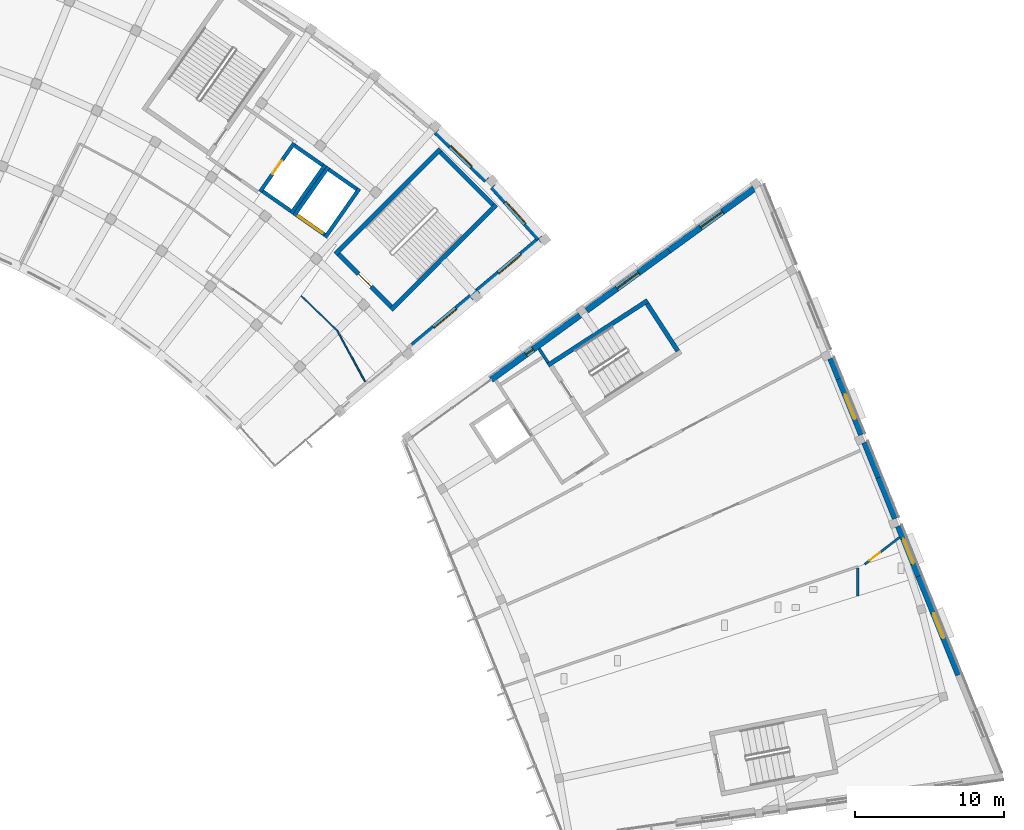
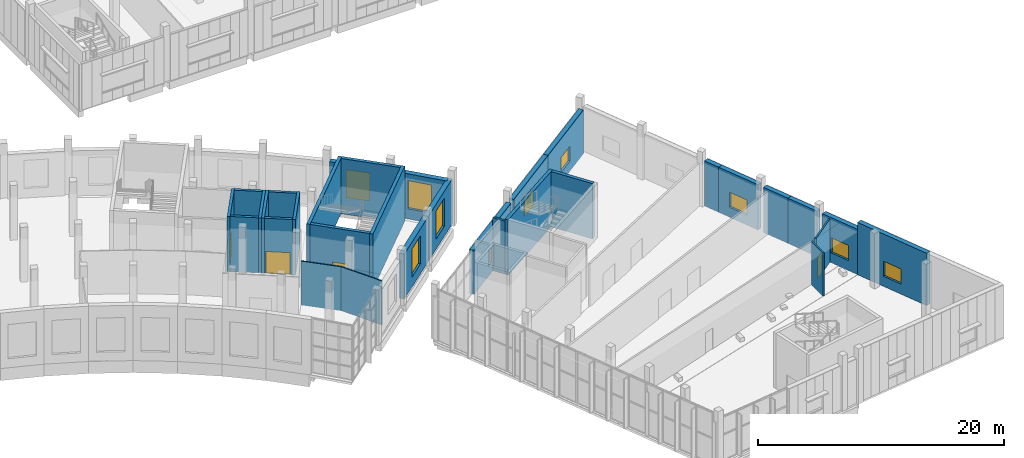
# One storey, part 43 of 87: 32 walls, 10 windows, 4 doors, 14 openings.
"""IFC4 building model written with IfcOpenShell, lengths in metres."""

import ifcopenshell
import ifcopenshell.guid

model = None  # the IFC model being written
_history = None  # IfcOwnerHistory: only IFC2X3 demands one
_inside = {}  # id of a spatial element -> (the spatial element, [elements in it])
_under = {}  # id of a project, library or spatial element -> (it, [spatial elements below it])
_declared = {}  # id of a project -> (the project, [libraries it declares])
_typed = {}  # id of a type object -> (the type object, [elements of that type])
_made_of = {}  # id of a material, layer set ... -> (it, [elements and type objects made of it])


def new_model(schema):
    """Start an empty IFC model of exactly this schema.

    Asked for "IFC4X3", IfcOpenShell would pick the latest addendum, in which some entities
    have other attributes; the version numbers below select the first issue.
    IFC2X3 requires an IfcOwnerHistory on every rooted entity: one is made here for all.
    """
    global model, _history
    if schema == "IFC4X3":
        model = ifcopenshell.file(schema_version=(4, 3, 0, 0))
    else:
        model = ifcopenshell.file(schema=schema)
    _inside.clear()
    _under.clear()
    _declared.clear()
    _typed.clear()
    _made_of.clear()
    _history = None
    if model.schema == "IFC2X3":
        org = make("IfcOrganization", Name="unknown")
        user = make(
            "IfcPersonAndOrganization",
            ThePerson=make("IfcPerson", FamilyName="unknown"),
            TheOrganization=org,
        )
        app = make(
            "IfcApplication",
            ApplicationDeveloper=org,
            Version="unknown",
            ApplicationFullName="unknown",
            ApplicationIdentifier="unknown",
        )
        _history = make(
            "IfcOwnerHistory",
            OwningUser=user,
            OwningApplication=app,
            ChangeAction="ADDED",
            CreationDate=0,
        )
    return model


def make(cls, **values):
    """One entity of the class cls with the attributes given. An attribute that is None is left unset."""
    return model.create_entity(
        cls, **{name: value for name, value in values.items() if value is not None}
    )


def rooted(cls, **values):
    """An entity with a GlobalId (a new one), such as an element, a storey or a relation."""
    return make(cls, GlobalId=ifcopenshell.guid.new(), OwnerHistory=_history, **values)


def si_unit(unit_type, name, prefix=None):
    """IfcSIUnit, for example si_unit("LENGTHUNIT", "METRE", prefix="MILLI")."""
    return make("IfcSIUnit", UnitType=unit_type, Prefix=prefix, Name=name)


def assignment(units):
    """IfcUnitAssignment: the units of a project."""
    return None if units is None else make("IfcUnitAssignment", Units=units)


def point(xyz):
    """IfcCartesianPoint."""
    return None if xyz is None else make("IfcCartesianPoint", Coordinates=xyz)


def direction(xyz):
    """IfcDirection."""
    return None if xyz is None else make("IfcDirection", DirectionRatios=xyz)


def frame(location, z_axis=None, x_axis=None):
    """IfcAxis2Placement3D, a coordinate frame: its origin and axes. An axis left out is left unset."""
    return make(
        "IfcAxis2Placement3D",
        Location=point(location),
        Axis=direction(z_axis),
        RefDirection=direction(x_axis),
    )


def frame_2d(location, x_axis=None):
    """IfcAxis2Placement2D, a coordinate frame in the plane: its origin and x axis."""
    return make(
        "IfcAxis2Placement2D", Location=point(location), RefDirection=direction(x_axis)
    )


def origin():
    """The frame at (0, 0, 0) with its axes left unset."""
    return frame((0.0, 0.0, 0.0))


def place(relative_to, where):
    """IfcLocalPlacement: puts the frame where relative to a parent placement (None: the world)."""
    return make(
        "IfcLocalPlacement", PlacementRelTo=relative_to, RelativePlacement=where
    )


def context(
    kind, dimensions, precision=None, world=None, true_north=None, identifier=None
):
    """IfcGeometricRepresentationContext, for example the 3D "Model" context."""
    return make(
        "IfcGeometricRepresentationContext",
        ContextIdentifier=identifier,
        ContextType=kind,
        CoordinateSpaceDimension=dimensions,
        Precision=precision,
        WorldCoordinateSystem=world,
        TrueNorth=true_north,
    )


def subcontext(parent, identifier, kind, view, scale=None):
    """IfcGeometricRepresentationSubContext, for example "Body" below "Model"."""
    return make(
        "IfcGeometricRepresentationSubContext",
        ContextIdentifier=identifier,
        ContextType=kind,
        ParentContext=parent,
        TargetScale=scale,
        TargetView=view,
    )


def project(units=None, contexts=None):
    """IfcProject with its units and contexts."""
    return rooted(
        "IfcProject",
        Name="project",
        RepresentationContexts=contexts,
        UnitsInContext=assignment(units),
    )


def spatial(cls, under=None, at=None, **own):
    """A site, building, storey or space (cls), placed at a placement, below another one or the project."""
    s = rooted(cls, ObjectPlacement=at, **own)
    if under is not None:
        _under.setdefault(under.id(), (under, []))[1].append(s)
    return s


def profile(cls, at=None, kind="AREA", **sizes):
    """A parametric profile (cls). Its sizes go by their IFC names, for example OverallWidth=200.0."""
    return make(cls, ProfileType=kind, Position=at, **sizes)


def rectangle(**sizes):
    """IfcRectangleProfileDef."""
    return profile("IfcRectangleProfileDef", **sizes)


def extrude(swept, where, along, depth):
    """IfcExtrudedAreaSolid: the profile swept, set in the frame where, extruded along a direction by depth."""
    return make(
        "IfcExtrudedAreaSolid",
        SweptArea=swept,
        Position=where,
        ExtrudedDirection=direction(along),
        Depth=depth,
    )


def shape(context_of_items, identifier, shape_type, items):
    """IfcShapeRepresentation: the items that make up one representation, for example the "Body"."""
    return make(
        "IfcShapeRepresentation",
        ContextOfItems=context_of_items,
        RepresentationIdentifier=identifier,
        RepresentationType=shape_type,
        Items=items,
    )


def material(Name=None, Category=None):
    """IfcMaterial."""
    return make("IfcMaterial", Name=Name, Category=Category)


def layer(
    of_material, thickness, ventilated=None, Name=None, Category=None, Priority=None
):
    """IfcMaterialLayer: one layer of a wall or slab, of a material (None: an air gap)."""
    return make(
        "IfcMaterialLayer",
        Material=of_material,
        LayerThickness=thickness,
        IsVentilated=ventilated,
        Name=Name,
        Category=Category,
        Priority=Priority,
    )


def layer_set(layers, Name=None):
    """IfcMaterialLayerSet."""
    return make("IfcMaterialLayerSet", MaterialLayers=layers, LayerSetName=Name)


def made_of(thing, what):
    """Note that an element or type object is made of a material, layer set ...; save() writes the relation."""
    if what is not None:
        _made_of.setdefault(what.id(), (what, []))[1].append(thing)
    return thing


def type_object(cls, material=None, **own):
    """A type object (cls), such as IfcWallType, which elements share."""
    return made_of(rooted(cls, **own), material)


def element(
    cls,
    number,
    at=None,
    inside=None,
    cuts=None,
    type_object=None,
    material=None,
    context=None,
    identifier="Body",
    shape_type=None,
    held_by="IfcProductDefinitionShape",
    body=None,
    shapes=None,
    **own,
):
    """One element of the class cls, such as IfcWall. Its Tag is "e" and its number.

    at: its placement. inside: the storey or other place that contains it. cuts: it is an
    opening in that element (IfcRelVoidsElement). A single representation is given by context,
    identifier, shape_type and body (its items); several are given by shapes. held_by: the class
    of the entity that holds the representations. save() writes the other relations.
    """
    e = rooted(cls, Tag="e%d" % number, ObjectPlacement=at, **own)
    if body is not None:
        shapes = [shape(context, identifier, shape_type, body)]
    if shapes is not None:
        e.Representation = make(held_by, Representations=shapes)
    if inside is not None:
        _inside.setdefault(inside.id(), (inside, []))[1].append(e)
    if cuts is not None:
        rooted(
            "IfcRelVoidsElement", RelatingBuildingElement=cuts, RelatedOpeningElement=e
        )
    if type_object is not None:
        _typed.setdefault(type_object.id(), (type_object, []))[1].append(e)
    return made_of(e, material)


def fill(opening, filler):
    """IfcRelFillsElement: the door or window that sits in an opening."""
    return rooted(
        "IfcRelFillsElement",
        RelatingOpeningElement=opening,
        RelatedBuildingElement=filler,
    )


def aggregate(whole, parts):
    """IfcRelAggregates: a whole, such as a stair, and the parts it consists of."""
    return rooted("IfcRelAggregates", RelatingObject=whole, RelatedObjects=parts)


def save(model, path):
    """Write the relations noted so far, then the file.

    IfcRelAggregates (storeys below a building ...), IfcRelContainedInSpatialStructure (elements
    in a storey), IfcRelDefinesByType, IfcRelAssociatesMaterial and IfcRelDeclares: one each for
    every whole, place, type object, material and project.
    """
    for whole, parts in _under.values():
        aggregate(whole, parts)
    for where, things in _inside.values():
        rooted(
            "IfcRelContainedInSpatialStructure",
            RelatedElements=things,
            RelatingStructure=where,
        )
    for kind, things in _typed.values():
        rooted("IfcRelDefinesByType", RelatedObjects=things, RelatingType=kind)
    for what, things in _made_of.values():
        rooted("IfcRelAssociatesMaterial", RelatedObjects=things, RelatingMaterial=what)
    for by, libraries in _declared.values():
        rooted("IfcRelDeclares", RelatingContext=by, RelatedDefinitions=libraries)
    model.write(path)


model = new_model("IFC4")

# Units and contexts
model_context = context("Model", 3, precision=1e-05, world=origin(), true_north=direction((0.0, 1.0)))
body_context = subcontext(model_context, "Body", "Model", "MODEL_VIEW")
ifc_project = project(units=[si_unit("LENGTHUNIT", "METRE"), si_unit("AREAUNIT", "SQUARE_METRE"), si_unit("VOLUMEUNIT", "CUBIC_METRE"), si_unit("PLANEANGLEUNIT", "RADIAN"), si_unit("MASSUNIT", "GRAM", prefix="KILO")], contexts=[model_context])

# Site, building, storey
site_placement = place(None, origin())
site = spatial("IfcSite", under=ifc_project, at=site_placement, CompositionType="ELEMENT")
building_placement = place(site_placement, origin())
building = spatial("IfcBuilding", under=site, at=building_placement, Name="Lunette Opera House", CompositionType="ELEMENT")
storey_placement = place(building_placement, frame((0.0, 0.0, 11.5)))
storey = spatial("IfcBuildingStorey", under=building, at=storey_placement, Name="L02", CompositionType="ELEMENT", Elevation=11.5)

# Wall, opening, window
ifc_material_1 = material(Name="Clinker brick", Category="masonry")
ifc_layer_1 = layer(ifc_material_1, 0.449951171875)
ifc_layer_set_1 = layer_set([ifc_layer_1], Name="Clinker brick")
wall_type_1 = type_object("IfcWallType", Name="ARM END WALL 450", PredefinedType="SOLIDWALL", material=ifc_layer_set_1)
wall_1_placement = place(storey_placement, frame((145.342041015625, 41.697021484375, 0.0), z_axis=(0.0, 0.0, 1.0), x_axis=(0.766078586631, 0.642746916838, 0.0)))
wall_1 = element("IfcWall", 1, at=wall_1_placement, inside=storey, type_object=wall_type_1, Name="Arm End Wall 450 EN-E2 L02", PredefinedType="SOLIDWALL", context=body_context, shape_type="SweptSolid", body=[
    extrude(rectangle(XDim=5.69921875, YDim=0.449951171875, at=frame_2d((2.849609375, 0.0))), origin(), (0.0, 0.0, 1.0), 4.47998046875),
])
opening_1_placement = place(wall_1_placement, frame((1.85009765625, 0.0, 1.0)))
opening_1 = element("IfcOpeningElement", 2, at=opening_1_placement, cuts=wall_1, Name="Opening FC-N2099", PredefinedType="OPENING", context=body_context, shape_type="SweptSolid", body=[
    extrude(rectangle(XDim=2.0, YDim=2.800048828125, at=frame_2d((1.0, 1.39990234375))), frame((0.0, 0.237060546875, 0.0), z_axis=(0.0, -1.0, 0.0), x_axis=(1.0, 0.0, 0.0)), (0.0, 0.0, 1.0), 0.473876953125),
])
ifc_material_2 = material(Name="Aluminium", Category="aluminium")
window_type_1 = type_object("IfcWindowType", Name="ARM WINDOW 2000 X 2800", PartitioningType="DOUBLE_PANEL_VERTICAL", PredefinedType="WINDOW", material=ifc_material_2)
window_1_placement = place(opening_1_placement, origin())
window_1 = element("IfcWindow", 3, at=window_1_placement, inside=storey, type_object=window_type_1, Name="Arm Window 2000 X 2800 EN-E2 L02", OverallHeight=2.800048828125, OverallWidth=2.0, PartitioningType="DOUBLE_PANEL_VERTICAL", PredefinedType="WINDOW", context=body_context, shape_type="SweptSolid", body=[
    extrude(rectangle(XDim=2.0, YDim=2.800048828125, at=frame_2d((1.0, 1.39990234375))), frame((0.0, 0.030029296875, 0.0), z_axis=(0.0, -1.0, 0.0), x_axis=(1.0, 0.0, 0.0)), (0.0, 0.0, 1.0), 0.06005859375),
])
fill(opening_1, window_1)

wall_2_placement = place(storey_placement, frame((149.7080078125, 45.360107421875, 0.0), z_axis=(0.0, 0.0, 1.0), x_axis=(0.766086094987, 0.642737967657, 0.0)))
wall_2 = element("IfcWall", 4, at=wall_2_placement, inside=storey, type_object=wall_type_1, Name="Arm End Wall 450 EN-E3 L02", PredefinedType="SOLIDWALL", context=body_context, shape_type="SweptSolid", body=[
    extrude(rectangle(XDim=5.700439453125, YDim=0.449951171875, at=frame_2d((2.85009765625, 0.0))), origin(), (0.0, 0.0, 1.0), 4.47998046875),
])
opening_2_placement = place(wall_2_placement, frame((1.85009765625, 0.0, 1.0)))
opening_2 = element("IfcOpeningElement", 5, at=opening_2_placement, cuts=wall_2, Name="Opening FC-N2100", PredefinedType="OPENING", context=body_context, shape_type="SweptSolid", body=[
    extrude(rectangle(XDim=2.0, YDim=2.800048828125, at=frame_2d((1.0, 1.39990234375))), frame((0.0, 0.237060546875, 0.0), z_axis=(0.0, -1.0, 0.0), x_axis=(1.0, 0.0, 0.0)), (0.0, 0.0, 1.0), 0.473876953125),
])
window_2_placement = place(opening_2_placement, origin())
window_2 = element("IfcWindow", 6, at=window_2_placement, inside=storey, type_object=window_type_1, Name="Arm Window 2000 X 2800 EN-E3 L02", OverallHeight=2.800048828125, OverallWidth=2.0, PartitioningType="DOUBLE_PANEL_VERTICAL", PredefinedType="WINDOW", context=body_context, shape_type="SweptSolid", body=[
    extrude(rectangle(XDim=2.0, YDim=2.800048828125, at=frame_2d((1.0, 1.39990234375))), frame((0.0, 0.030029296875, 0.0), z_axis=(0.0, -1.0, 0.0), x_axis=(1.0, 0.0, 0.0)), (0.0, 0.0, 1.0), 0.06005859375),
])
fill(opening_2, window_2)

ifc_material_3 = material(Name="Clinker brick", Category="masonry")
ifc_layer_2 = layer(ifc_material_3, 0.449951171875)
ifc_layer_set_2 = layer_set([ifc_layer_2], Name="Clinker brick")
wall_type_2 = type_object("IfcWallType", Name="ARM RAIN SCREEN WALL 450", PredefinedType="SOLIDWALL", material=ifc_layer_set_2)
wall_3_placement = place(storey_placement, frame((146.9189453125, 56.10400390625, 0.0), z_axis=(0.0, 0.0, 1.0), x_axis=(0.719260611584, -0.694740363462, 0.0)))
wall_3 = element("IfcWall", 7, at=wall_3_placement, inside=storey, type_object=wall_type_2, Name="Arm Rain Screen Wall 450 BW-CE07 L02", PredefinedType="SOLIDWALL", context=body_context, shape_type="SweptSolid", body=[
    extrude(rectangle(XDim=4.689697265625, YDim=0.449951171875, at=frame_2d((2.3447265625, 0.0))), origin(), (0.0, 0.0, 1.0), 4.47998046875),
])
opening_3_placement = place(wall_3_placement, frame((1.344970703125, 0.0, 1.0)))
opening_3 = element("IfcOpeningElement", 8, at=opening_3_placement, cuts=wall_3, Name="Opening FC-N2169", PredefinedType="OPENING", context=body_context, shape_type="SweptSolid", body=[
    extrude(rectangle(XDim=2.0, YDim=2.800048828125, at=frame_2d((1.0, 1.39990234375))), frame((0.0, 0.237060546875, 0.0), z_axis=(0.0, -1.0, 0.0), x_axis=(1.0, 0.0, 0.0)), (0.0, 0.0, 1.0), 0.473876953125),
])
window_3_placement = place(opening_3_placement, origin())
window_3 = element("IfcWindow", 9, at=window_3_placement, inside=storey, type_object=window_type_1, Name="Arm Window 2000 X 2800 BW-CE07 L02", OverallHeight=2.800048828125, OverallWidth=2.0, PartitioningType="DOUBLE_PANEL_VERTICAL", PredefinedType="WINDOW", context=body_context, shape_type="SweptSolid", body=[
    extrude(rectangle(XDim=2.0, YDim=2.800048828125, at=frame_2d((1.0, 1.39990234375))), frame((0.0, 0.030029296875, 0.0), z_axis=(0.0, -1.0, 0.0), x_axis=(1.0, 0.0, 0.0)), (0.0, 0.0, 1.0), 0.06005859375),
])
fill(opening_3, window_3)

wall_4_placement = place(storey_placement, frame((150.708984375, 52.4150390625, 0.0), z_axis=(0.0, 0.0, 1.0), x_axis=(0.669007879878, -0.74325531055, 0.0)))
wall_4 = element("IfcWall", 10, at=wall_4_placement, inside=storey, type_object=wall_type_2, Name="Arm Rain Screen Wall 450 BW-CE08 L02", PredefinedType="SOLIDWALL", context=body_context, shape_type="SweptSolid", body=[
    extrude(rectangle(XDim=4.68896484375, YDim=0.449951171875, at=frame_2d((2.344482421875, 0.0))), origin(), (0.0, 0.0, 1.0), 4.47998046875),
])
opening_4_placement = place(wall_4_placement, frame((1.344970703125, 0.0, 1.0)))
opening_4 = element("IfcOpeningElement", 11, at=opening_4_placement, cuts=wall_4, Name="Opening FC-N2174", PredefinedType="OPENING", context=body_context, shape_type="SweptSolid", body=[
    extrude(rectangle(XDim=2.0, YDim=2.800048828125, at=frame_2d((1.0, 1.39990234375))), frame((0.0, 0.237060546875, 0.0), z_axis=(0.0, -1.0, 0.0), x_axis=(1.0, 0.0, 0.0)), (0.0, 0.0, 1.0), 0.473876953125),
])
window_4_placement = place(opening_4_placement, origin())
window_4 = element("IfcWindow", 12, at=window_4_placement, inside=storey, type_object=window_type_1, Name="Arm Window 2000 X 2800 BW-CE08 L02", OverallHeight=2.800048828125, OverallWidth=2.0, PartitioningType="DOUBLE_PANEL_VERTICAL", PredefinedType="WINDOW", context=body_context, shape_type="SweptSolid", body=[
    extrude(rectangle(XDim=2.0, YDim=2.800048828125, at=frame_2d((1.0, 1.39990234375))), frame((0.0, 0.030029296875, 0.0), z_axis=(0.0, -1.0, 0.0), x_axis=(1.0, 0.0, 0.0)), (0.0, 0.0, 1.0), 0.06005859375),
])
fill(opening_4, window_4)

# Wall, opening, door
ifc_material_4 = material(Name="Plastered clay blockwork", Category="masonry")
ifc_layer_3 = layer(ifc_material_4, 0.14990234375)
ifc_layer_set_3 = layer_set([ifc_layer_3], Name="Plastered clay blockwork")
wall_type_3 = type_object("IfcWallType", Name="BLOCK PARTITION 150", PredefinedType="PARTITIONING", material=ifc_layer_set_3)
wall_5_placement = place(storey_placement, frame((178.093017578125, 28.806884765625, 0.0), z_axis=(0.0, 0.0, 1.0), x_axis=(-0.790509882563, -0.61244928408, 0.0)))
wall_5 = element("IfcWall", 13, at=wall_5_placement, inside=storey, type_object=wall_type_3, Name="Partition Accessible WC L02 Studio", PredefinedType="PARTITIONING", context=body_context, shape_type="SweptSolid", body=[
    extrude(rectangle(XDim=2.960205078125, YDim=0.14990234375, at=frame_2d((1.47998046875, 0.0))), origin(), (0.0, 0.0, 1.0), 4.300048828125),
])
opening_5_placement = place(wall_5_placement, frame((1.6708984375, 0.0, 0.0)))
opening_5 = element("IfcOpeningElement", 14, at=opening_5_placement, cuts=wall_5, Name="Opening SB-D3022", PredefinedType="OPENING", context=body_context, shape_type="SweptSolid", body=[
    extrude(rectangle(XDim=0.89990234375, YDim=2.10009765625, at=frame_2d((0.449951171875, 1.050048828125))), frame((0.0, 0.0869140625, 0.0), z_axis=(0.0, -1.0, 0.0), x_axis=(1.0, 0.0, 0.0)), (0.0, 0.0, 1.0), 0.173828125),
])
ifc_material_5 = material(Name="Timber", Category="wood")
door_type_1 = type_object("IfcDoorType", Name="FLUSH DOOR 900 X 2100", OperationType="SINGLE_SWING_LEFT", PredefinedType="DOOR", material=ifc_material_5)
door_1_placement = place(opening_5_placement, origin())
door_1 = element("IfcDoor", 15, at=door_1_placement, inside=storey, type_object=door_type_1, Name="Accessible WC L02 Studio door", OperationType="SINGLE_SWING_RIGHT", OverallHeight=2.10009765625, OverallWidth=0.89990234375, PredefinedType="DOOR", context=body_context, shape_type="SweptSolid", body=[
    extrude(rectangle(XDim=0.89990234375, YDim=2.10009765625, at=frame_2d((0.449951171875, 1.050048828125))), frame((0.0, 0.02490234375, 0.0), z_axis=(0.0, -1.0, 0.0), x_axis=(1.0, 0.0, 0.0)), (0.0, 0.0, 1.0), 0.050048828125),
])
fill(opening_5, door_1)

# Walls
wall_6_placement = place(storey_placement, frame((175.279052734375, 24.85498046875, 0.0), z_axis=(0.0, 0.0, 1.0), x_axis=(0.0, 1.0, 0.0)))
element("IfcWall", 16, at=wall_6_placement, inside=storey, type_object=wall_type_3, Name="Partition Studio WC L02", PredefinedType="PARTITIONING", context=body_context, shape_type="SweptSolid", body=[
    extrude(rectangle(XDim=1.89892578125, YDim=0.14990234375, at=frame_2d((0.949462890625, 0.0))), origin(), (0.0, 0.0, 1.0), 4.300048828125),
])
ifc_material_6 = material(Name="Concrete C35/45", Category="concrete")
ifc_layer_4 = layer(ifc_material_6, 0.199951171875)
ifc_layer_set_4 = layer_set([ifc_layer_4], Name="Concrete C35/45")
wall_type_4 = type_object("IfcWallType", Name="LOBBY WALL 200", PredefinedType="PARTITIONING", material=ifc_layer_set_4)
wall_7_placement = place(storey_placement, frame((154.43798828125, 40.56103515625, 0.0), z_axis=(0.0, 0.0, 1.0), x_axis=(-0.545308400226, 0.838235497127, 0.0)))
element("IfcWall", 17, at=wall_7_placement, inside=storey, type_object=wall_type_4, Name="LL-ST lobby wall 3b", PredefinedType="PARTITIONING", context=body_context, shape_type="SweptSolid", body=[
    extrude(rectangle(XDim=1.1259765625, YDim=0.199951171875, at=frame_2d((0.56298828125, 0.0))), origin(), (0.0, 0.0, 1.0), 5.280029296875),
])
ifc_material_7 = material(Name="Concrete C35/45", Category="concrete")
ifc_layer_5 = layer(ifc_material_7, 0.25)
ifc_layer_set_5 = layer_set([ifc_layer_5], Name="Concrete C35/45")
wall_type_5 = type_object("IfcWallType", Name="RC LIFT SHAFT WALL 250", PredefinedType="SOLIDWALL", material=ifc_layer_set_5)
wall_8_placement = place(storey_placement, frame((135.22509765625, 52.097900390625, 0.0), z_axis=(0.0, 0.0, 1.0), x_axis=(0.819366508838, -0.573270027295, 0.0)))
element("IfcWall", 18, at=wall_8_placement, inside=storey, type_object=wall_type_5, Name="FL1 shaft wall 1", PredefinedType="SOLIDWALL", context=body_context, shape_type="SweptSolid", body=[
    extrude(rectangle(XDim=2.300537109375, YDim=0.25, at=frame_2d((1.150390625, 0.0))), origin(), (0.0, 0.0, 1.0), 5.5),
])
wall_9_placement = place(storey_placement, frame((137.14111328125, 50.60498046875, 0.0), z_axis=(0.0, 0.0, 1.0), x_axis=(0.573572956461, 0.819154480923, 0.0)))
element("IfcWall", 19, at=wall_9_placement, inside=storey, type_object=wall_type_5, Name="FL1 shaft wall 2", PredefinedType="SOLIDWALL", context=body_context, shape_type="SweptSolid", body=[
    extrude(rectangle(XDim=3.99951171875, YDim=0.25, at=frame_2d((1.999755859375, 0.0))), origin(), (0.0, 0.0, 1.0), 5.5),
])
wall_10_placement = place(storey_placement, frame((139.260986328125, 53.85009765625, 0.0), z_axis=(0.0, 0.0, 1.0), x_axis=(-0.819226933165, 0.573469469089, 0.0)))
element("IfcWall", 20, at=wall_10_placement, inside=storey, type_object=wall_type_5, Name="FL1 shaft wall 3", PredefinedType="SOLIDWALL", context=body_context, shape_type="SweptSolid", body=[
    extrude(rectangle(XDim=2.2998046875, YDim=0.25, at=frame_2d((1.14990234375, 0.0))), origin(), (0.0, 0.0, 1.0), 5.5),
])

# Wall, opening, door
wall_11_placement = place(storey_placement, frame((137.345947265625, 55.343017578125, 0.0), z_axis=(0.0, 0.0, 1.0), x_axis=(-0.573736768582, -0.819039755065, 0.0)))
wall_11 = element("IfcWall", 21, at=wall_11_placement, inside=storey, type_object=wall_type_5, Name="FL1 shaft wall 4", PredefinedType="SOLIDWALL", context=body_context, shape_type="SweptSolid", body=[
    extrude(rectangle(XDim=4.0, YDim=0.25, at=frame_2d((2.0, 0.0))), origin(), (0.0, 0.0, 1.0), 5.5),
])
opening_6_placement = place(wall_11_placement, frame((1.449951171875, 0.0, 0.0)))
opening_6 = element("IfcOpeningElement", 22, at=opening_6_placement, cuts=wall_11, Name="Opening FC-LD004", PredefinedType="OPENING", context=body_context, shape_type="SweptSolid", body=[
    extrude(rectangle(XDim=1.10009765625, YDim=2.10009765625, at=frame_2d((0.550048828125, 1.050048828125))), frame((0.0, 0.136962890625, 0.0), z_axis=(0.0, -1.0, 0.0), x_axis=(1.0, 0.0, 0.0)), (0.0, 0.0, 1.0), 0.27392578125),
])
ifc_material_8 = material(Name="Stainless steel", Category="steel")
door_type_2 = type_object("IfcDoorType", Name="LIFT LANDING DOOR 1100 X 2100", OperationType="DOUBLE_DOOR_SLIDING", PredefinedType="DOOR", material=ifc_material_8)
door_2_placement = place(opening_6_placement, origin())
door_2 = element("IfcDoor", 23, at=door_2_placement, inside=storey, type_object=door_type_2, Name="FL1 lift landing door", OperationType="DOUBLE_DOOR_SLIDING", OverallHeight=2.10009765625, OverallWidth=1.10009765625, PredefinedType="DOOR", context=body_context, shape_type="SweptSolid", body=[
    extrude(rectangle(XDim=1.10009765625, YDim=2.10009765625, at=frame_2d((0.550048828125, 1.050048828125))), frame((0.0, 0.02490234375, 0.0), z_axis=(0.0, -1.0, 0.0), x_axis=(1.0, 0.0, 0.0)), (0.0, 0.0, 1.0), 0.050048828125),
])
fill(opening_6, door_2)

wall_12_placement = place(storey_placement, frame((137.51904296875, 50.491943359375, 0.0), z_axis=(0.0, 0.0, 1.0), x_axis=(0.819366508838, -0.573270027295, 0.0)))
wall_12 = element("IfcWall", 24, at=wall_12_placement, inside=storey, type_object=wall_type_5, Name="LF2 shaft wall 1", PredefinedType="SOLIDWALL", context=body_context, shape_type="SweptSolid", body=[
    extrude(rectangle(XDim=2.300537109375, YDim=0.25, at=frame_2d((1.150390625, 0.0))), origin(), (0.0, 0.0, 1.0), 5.5),
])
opening_7_placement = place(wall_12_placement, frame((0.10009765625, 0.0, 0.0)))
opening_7 = element("IfcOpeningElement", 25, at=opening_7_placement, cuts=wall_12, Name="Opening FC-LD022", PredefinedType="OPENING", context=body_context, shape_type="SweptSolid", body=[
    extrude(rectangle(XDim=2.0, YDim=2.199951171875, at=frame_2d((1.0, 1.10009765625))), frame((0.0, 0.136962890625, 0.0), z_axis=(0.0, -1.0, 0.0), x_axis=(1.0, 0.0, 0.0)), (0.0, 0.0, 1.0), 0.27392578125),
])
ifc_material_9 = material(Name="Stainless steel", Category="steel")
door_type_3 = type_object("IfcDoorType", Name="LIFT LANDING DOOR 2000 X 2200", OperationType="DOUBLE_DOOR_SLIDING", PredefinedType="DOOR", material=ifc_material_9)
door_3_placement = place(opening_7_placement, origin())
door_3 = element("IfcDoor", 26, at=door_3_placement, inside=storey, type_object=door_type_3, Name="LF2 lift landing door", OperationType="DOUBLE_DOOR_SLIDING", OverallHeight=2.199951171875, OverallWidth=2.0, PredefinedType="DOOR", context=body_context, shape_type="SweptSolid", body=[
    extrude(rectangle(XDim=2.0, YDim=2.199951171875, at=frame_2d((1.0, 1.10009765625))), frame((0.0, 0.02490234375, 0.0), z_axis=(0.0, -1.0, 0.0), x_axis=(1.0, 0.0, 0.0)), (0.0, 0.0, 1.0), 0.050048828125),
])
fill(opening_7, door_3)

# Walls
wall_13_placement = place(storey_placement, frame((139.43505859375, 48.9990234375, 0.0), z_axis=(0.0, 0.0, 1.0), x_axis=(0.57360163893, 0.819134396675, 0.0)))
element("IfcWall", 27, at=wall_13_placement, inside=storey, type_object=wall_type_5, Name="LF2 shaft wall 2", PredefinedType="SOLIDWALL", context=body_context, shape_type="SweptSolid", body=[
    extrude(rectangle(XDim=3.999267578125, YDim=0.25, at=frame_2d((1.99951171875, 0.0))), origin(), (0.0, 0.0, 1.0), 5.5),
])
wall_14_placement = place(storey_placement, frame((141.554931640625, 52.243896484375, 0.0), z_axis=(0.0, 0.0, 1.0), x_axis=(-0.819316661421, 0.57334126689, 0.0)))
element("IfcWall", 28, at=wall_14_placement, inside=storey, type_object=wall_type_5, Name="LF2 shaft wall 3", PredefinedType="SOLIDWALL", context=body_context, shape_type="SweptSolid", body=[
    extrude(rectangle(XDim=2.30078125, YDim=0.25, at=frame_2d((1.150390625, 0.0))), origin(), (0.0, 0.0, 1.0), 5.5),
])
wall_15_placement = place(storey_placement, frame((139.638916015625, 53.737060546875, 0.0), z_axis=(0.0, 0.0, 1.0), x_axis=(-0.573572956461, -0.819154480923, 0.0)))
element("IfcWall", 29, at=wall_15_placement, inside=storey, type_object=wall_type_5, Name="LF2 shaft wall 4", PredefinedType="SOLIDWALL", context=body_context, shape_type="SweptSolid", body=[
    extrude(rectangle(XDim=3.99951171875, YDim=0.25, at=frame_2d((1.999755859375, 0.0))), origin(), (0.0, 0.0, 1.0), 5.5),
])
ifc_material_10 = material(Name="Concrete C35/45", Category="concrete")
ifc_layer_6 = layer(ifc_material_10, 0.300048828125)
ifc_layer_set_6 = layer_set([ifc_layer_6], Name="Concrete C35/45")
wall_type_6 = type_object("IfcWallType", Name="RC STAIR ENCLOSURE WALL 300", PredefinedType="SOLIDWALL", material=ifc_layer_set_6)
wall_16_placement = place(storey_placement, frame((163.1640625, 41.35107421875, 0.0), z_axis=(0.0, 0.0, 1.0), x_axis=(-0.544414712312, 0.838816202167, 0.0)))
element("IfcWall", 30, at=wall_16_placement, inside=storey, type_object=wall_type_6, Name="ST21 enclosure wall 3", PredefinedType="SOLIDWALL", context=body_context, shape_type="SweptSolid", body=[
    extrude(rectangle(XDim=3.800537109375, YDim=0.300048828125, at=frame_2d((1.900390625, 0.0))), origin(), (0.0, 0.0, 1.0), 5.5),
])
wall_17_placement = place(storey_placement, frame((161.138916015625, 44.74609375, 0.0), z_axis=(0.0, 0.0, 1.0), x_axis=(-0.838633189021, -0.544696589187, 0.0)))
element("IfcWall", 31, at=wall_17_placement, inside=storey, type_object=wall_type_6, Name="ST21 enclosure wall 4", PredefinedType="SOLIDWALL", context=body_context, shape_type="SweptSolid", body=[
    extrude(rectangle(XDim=8.0009765625, YDim=0.300048828125, at=frame_2d((4.00048828125, 0.0))), origin(), (0.0, 0.0, 1.0), 5.5),
])

# Wall, opening, door
wall_18_placement = place(storey_placement, frame((140.3349609375, 47.87109375, 0.0), z_axis=(0.0, 0.0, 1.0), x_axis=(0.707106781187, -0.707106781187, 0.0)))
wall_18 = element("IfcWall", 32, at=wall_18_placement, inside=storey, type_object=wall_type_6, Name="ST4 enclosure wall 1", PredefinedType="SOLIDWALL", context=body_context, shape_type="SweptSolid", body=[
    extrude(rectangle(XDim=5.000732421875, YDim=0.300048828125, at=frame_2d((2.50048828125, 0.0))), origin(), (0.0, 0.0, 1.0), 5.5),
])
opening_8_placement = place(wall_18_placement, frame((1.89990234375, 0.0, 0.0)))
opening_8 = element("IfcOpeningElement", 33, at=opening_8_placement, cuts=wall_18, Name="Opening FC-D7028", PredefinedType="OPENING", context=body_context, shape_type="SweptSolid", body=[
    extrude(rectangle(XDim=1.199951171875, YDim=2.10009765625, at=frame_2d((0.60009765625, 1.050048828125))), frame((0.0, 0.162109375, 0.0), z_axis=(0.0, -1.0, 0.0), x_axis=(1.0, 0.0, 0.0)), (0.0, 0.0, 1.0), 0.323974609375),
])
ifc_material_11 = material(Name="Steel", Category="steel")
door_type_4 = type_object("IfcDoorType", Name="FIRE DOOR 1200 X 2100", OperationType="SINGLE_SWING_LEFT", PredefinedType="DOOR", material=ifc_material_11)
door_4_placement = place(opening_8_placement, origin())
door_4 = element("IfcDoor", 34, at=door_4_placement, inside=storey, type_object=door_type_4, Name="ST4 stair door", OperationType="SINGLE_SWING_LEFT", OverallHeight=2.10009765625, OverallWidth=1.199951171875, PredefinedType="DOOR", context=body_context, shape_type="SweptSolid", body=[
    extrude(rectangle(XDim=1.199951171875, YDim=2.10009765625, at=frame_2d((0.60009765625, 1.050048828125))), frame((0.0, 0.02490234375, 0.0), z_axis=(0.0, -1.0, 0.0), x_axis=(1.0, 0.0, 0.0)), (0.0, 0.0, 1.0), 0.050048828125),
])
fill(opening_8, door_4)

# Walls
wall_19_placement = place(storey_placement, frame((143.87109375, 44.123046875, 0.0), z_axis=(0.0, 0.0, 1.0), x_axis=(0.7070945738, 0.707118988363, 0.0)))
element("IfcWall", 35, at=wall_19_placement, inside=storey, type_object=wall_type_6, Name="ST4 enclosure wall 2", PredefinedType="SOLIDWALL", context=body_context, shape_type="SweptSolid", body=[
    extrude(rectangle(XDim=9.999755859375, YDim=0.300048828125, at=frame_2d((5.0, 0.0))), origin(), (0.0, 0.0, 1.0), 5.5),
])
wall_20_placement = place(storey_placement, frame((150.72998046875, 51.194091796875, 0.0), z_axis=(0.0, 0.0, 1.0), x_axis=(-0.707106781187, 0.707106781187, 0.0)))
element("IfcWall", 36, at=wall_20_placement, inside=storey, type_object=wall_type_6, Name="ST4 enclosure wall 3", PredefinedType="SOLIDWALL", context=body_context, shape_type="SweptSolid", body=[
    extrude(rectangle(XDim=5.00048828125, YDim=0.300048828125, at=frame_2d((2.500244140625, 0.0))), origin(), (0.0, 0.0, 1.0), 5.5),
])
wall_21_placement = place(storey_placement, frame((147.194091796875, 54.94189453125, 0.0), z_axis=(0.0, 0.0, 1.0), x_axis=(-0.707118988363, -0.7070945738, 0.0)))
element("IfcWall", 37, at=wall_21_placement, inside=storey, type_object=wall_type_6, Name="ST4 enclosure wall 4", PredefinedType="SOLIDWALL", context=body_context, shape_type="SweptSolid", body=[
    extrude(rectangle(XDim=9.999755859375, YDim=0.300048828125, at=frame_2d((5.0, 0.0))), origin(), (0.0, 0.0, 1.0), 5.5),
])
ifc_material_12 = material(Name="Gypsum board on steel studs", Category="steel")
ifc_layer_7 = layer(ifc_material_12, 0.10009765625)
ifc_layer_set_7 = layer_set([ifc_layer_7], Name="Gypsum board on steel studs")
wall_type_7 = type_object("IfcWallType", Name="STUD PARTITION 100", PredefinedType="PARTITIONING", material=ifc_layer_set_7)
wall_22_placement = place(storey_placement, frame((140.239013671875, 42.720947265625, 0.0), z_axis=(0.0, 0.0, 1.0), x_axis=(0.479690824027, -0.877437583731, 0.0)))
element("IfcWall", 38, at=wall_22_placement, inside=storey, type_object=wall_type_7, Name="Partition Grand Tier Foyer Rear", PredefinedType="PARTITIONING", context=body_context, shape_type="SweptSolid", body=[
    extrude(rectangle(XDim=3.914794921875, YDim=0.10009765625, at=frame_2d((1.95751953125, 0.0))), origin(), (0.0, 0.0, 1.0), 4.3798828125),
])
wall_23_placement = place(storey_placement, frame((137.81103515625, 45.06689453125, 0.0), z_axis=(0.0, 0.0, 1.0), x_axis=(0.719150966755, -0.694853860186, 0.0)))
element("IfcWall", 39, at=wall_23_placement, inside=storey, type_object=wall_type_7, Name="Partition Grand Tier Foyer Rear", PredefinedType="PARTITIONING", context=body_context, shape_type="SweptSolid", body=[
    extrude(rectangle(XDim=3.376220703125, YDim=0.10009765625, at=frame_2d((1.68798828125, 0.0))), origin(), (0.0, 0.0, 1.0), 4.3798828125),
])

# Wall, opening, window
ifc_material_13 = material(Name="Clinker brick", Category="masonry")
ifc_layer_8 = layer(ifc_material_13, 0.419921875)
ifc_layer_set_8 = layer_set([ifc_layer_8], Name="Clinker brick")
wall_type_8 = type_object("IfcWallType", Name="STUDIO BRICK WALL 420", PredefinedType="SOLIDWALL", material=ifc_layer_set_8)
wall_24_placement = place(storey_placement, frame((182.06494140625, 19.537109375, 0.0), z_axis=(0.0, 0.0, 1.0), x_axis=(-0.374594824941, 0.927188609252, 0.0)))
wall_24 = element("IfcWall", 40, at=wall_24_placement, inside=storey, type_object=wall_type_8, Name="Studio Brick Wall 420 F10 L02", PredefinedType="SOLIDWALL", context=body_context, shape_type="SweptSolid", body=[
    extrude(rectangle(XDim=7.16796875, YDim=0.419921875, at=frame_2d((3.583984375, 0.0))), origin(), (0.0, 0.0, 1.0), 5.199951171875),
])
opening_9_placement = place(wall_24_placement, frame((2.68408203125, 0.0, 1.0)))
opening_9 = element("IfcOpeningElement", 41, at=opening_9_placement, cuts=wall_24, Name="Opening SB-N2017", PredefinedType="OPENING", context=body_context, shape_type="SweptSolid", body=[
    extrude(rectangle(XDim=1.800048828125, YDim=1.5, at=frame_2d((0.89990234375, 0.75))), frame((0.0, 0.221923828125, 0.0), z_axis=(0.0, -1.0, 0.0), x_axis=(1.0, 0.0, 0.0)), (0.0, 0.0, 1.0), 0.44384765625),
])
ifc_material_14 = material(Name="Aluminium", Category="aluminium")
window_type_2 = type_object("IfcWindowType", Name="STUDIO WINDOW 1800 X 1500", PartitioningType="DOUBLE_PANEL_VERTICAL", PredefinedType="WINDOW", material=ifc_material_14)
window_5_placement = place(opening_9_placement, origin())
window_5 = element("IfcWindow", 42, at=window_5_placement, inside=storey, type_object=window_type_2, Name="Studio Window 1800 X 1500 F10 L02", OverallHeight=1.5, OverallWidth=1.800048828125, PartitioningType="DOUBLE_PANEL_VERTICAL", PredefinedType="WINDOW", context=body_context, shape_type="SweptSolid", body=[
    extrude(rectangle(XDim=1.800048828125, YDim=1.5, at=frame_2d((0.89990234375, 0.75))), frame((0.0, 0.030029296875, 0.0), z_axis=(0.0, -1.0, 0.0), x_axis=(1.0, 0.0, 0.0)), (0.0, 0.0, 1.0), 0.06005859375),
])
fill(opening_9, window_5)

wall_25_placement = place(storey_placement, frame((179.3798828125, 26.18310546875, 0.0), z_axis=(0.0, 0.0, 1.0), x_axis=(-0.374418687249, 0.927259751439, 0.0)))
wall_25 = element("IfcWall", 43, at=wall_25_placement, inside=storey, type_object=wall_type_8, Name="Studio Brick Wall 420 F11-1 L02", PredefinedType="SOLIDWALL", context=body_context, shape_type="SweptSolid", body=[
    extrude(rectangle(XDim=3.6396484375, YDim=0.419921875, at=frame_2d((1.81982421875, 0.0))), origin(), (0.0, 0.0, 1.0), 4.5),
])
opening_10_placement = place(wall_25_placement, frame((0.919921875, 0.0, 1.0)))
opening_10 = element("IfcOpeningElement", 44, at=opening_10_placement, cuts=wall_25, Name="Opening SB-N2018", PredefinedType="OPENING", context=body_context, shape_type="SweptSolid", body=[
    extrude(rectangle(XDim=1.800048828125, YDim=1.5, at=frame_2d((0.89990234375, 0.75))), frame((0.0, 0.221923828125, 0.0), z_axis=(0.0, -1.0, 0.0), x_axis=(1.0, 0.0, 0.0)), (0.0, 0.0, 1.0), 0.44384765625),
])
window_6_placement = place(opening_10_placement, origin())
window_6 = element("IfcWindow", 45, at=window_6_placement, inside=storey, type_object=window_type_2, Name="Studio Window 1800 X 1500 F11-1 L02", OverallHeight=1.5, OverallWidth=1.800048828125, PartitioningType="DOUBLE_PANEL_VERTICAL", PredefinedType="WINDOW", context=body_context, shape_type="SweptSolid", body=[
    extrude(rectangle(XDim=1.800048828125, YDim=1.5, at=frame_2d((0.89990234375, 0.75))), frame((0.0, 0.030029296875, 0.0), z_axis=(0.0, -1.0, 0.0), x_axis=(1.0, 0.0, 0.0)), (0.0, 0.0, 1.0), 0.06005859375),
])
fill(opening_10, window_6)

# Walls
wall_26_placement = place(storey_placement, frame((177.806884765625, 30.075927734375, 0.0), z_axis=(0.0, 0.0, 1.0), x_axis=(-0.374336649646, 0.927292873224, 0.0)))
element("IfcWall", 46, at=wall_26_placement, inside=storey, type_object=wall_type_8, Name="Studio Brick Wall 420 F11-2 L02", PredefinedType="SOLIDWALL", context=body_context, shape_type="SweptSolid", body=[
    extrude(rectangle(XDim=2.97021484375, YDim=0.419921875, at=frame_2d((1.485107421875, 0.0))), origin(), (0.0, 0.0, 1.0), 4.5),
])
wall_27_placement = place(storey_placement, frame((176.695068359375, 32.830078125, 0.0), z_axis=(0.0, 0.0, 1.0), x_axis=(-0.374724358983, 0.927136265489, 0.0)))
element("IfcWall", 47, at=wall_27_placement, inside=storey, type_object=wall_type_8, Name="Studio Brick Wall 420 F12-1 L02", PredefinedType="SOLIDWALL", context=body_context, shape_type="SweptSolid", body=[
    extrude(rectangle(XDim=2.548828125, YDim=0.419921875, at=frame_2d((1.2744140625, 0.0))), origin(), (0.0, 0.0, 1.0), 4.5),
])

# Wall, opening, window
wall_28_placement = place(storey_placement, frame((175.531005859375, 35.7119140625, 0.0), z_axis=(0.0, 0.0, 1.0), x_axis=(-0.374644003401, 0.927168739074, 0.0)))
wall_28 = element("IfcWall", 48, at=wall_28_placement, inside=storey, type_object=wall_type_8, Name="Studio Brick Wall 420 F12-2 L02", PredefinedType="SOLIDWALL", context=body_context, shape_type="SweptSolid", body=[
    extrude(rectangle(XDim=4.059814453125, YDim=0.419921875, at=frame_2d((2.02978515625, 0.0))), origin(), (0.0, 0.0, 1.0), 4.5),
])
opening_11_placement = place(wall_28_placement, frame((1.1298828125, 0.0, 1.0)))
opening_11 = element("IfcOpeningElement", 49, at=opening_11_placement, cuts=wall_28, Name="Opening SB-N2019", PredefinedType="OPENING", context=body_context, shape_type="SweptSolid", body=[
    extrude(rectangle(XDim=1.800048828125, YDim=1.5, at=frame_2d((0.89990234375, 0.75))), frame((0.0, 0.221923828125, 0.0), z_axis=(0.0, -1.0, 0.0), x_axis=(1.0, 0.0, 0.0)), (0.0, 0.0, 1.0), 0.44384765625),
])
window_7_placement = place(opening_11_placement, origin())
window_7 = element("IfcWindow", 50, at=window_7_placement, inside=storey, type_object=window_type_2, Name="Studio Window 1800 X 1500 F12-2 L02", OverallHeight=1.5, OverallWidth=1.800048828125, PartitioningType="DOUBLE_PANEL_VERTICAL", PredefinedType="WINDOW", context=body_context, shape_type="SweptSolid", body=[
    extrude(rectangle(XDim=1.800048828125, YDim=1.5, at=frame_2d((0.89990234375, 0.75))), frame((0.0, 0.030029296875, 0.0), z_axis=(0.0, -1.0, 0.0), x_axis=(1.0, 0.0, 0.0)), (0.0, 0.0, 1.0), 0.06005859375),
])
fill(opening_11, window_7)

# Wall
wall_29_placement = place(storey_placement, frame((174.010009765625, 39.47607421875, 0.0), z_axis=(0.0, 0.0, 1.0), x_axis=(-0.374662342697, 0.927161328446, 0.0)))
element("IfcWall", 51, at=wall_29_placement, inside=storey, type_object=wall_type_8, Name="Studio Brick Wall 420 F13-1 L02", PredefinedType="SOLIDWALL", context=body_context, shape_type="SweptSolid", body=[
    extrude(rectangle(XDim=1.478515625, YDim=0.419921875, at=frame_2d((0.7392578125, 0.0))), origin(), (0.0, 0.0, 1.0), 4.5),
])

# Wall, opening, window
wall_30_placement = place(storey_placement, frame((168.30810546875, 52.27490234375, 0.0), z_axis=(0.0, 0.0, 1.0), x_axis=(-0.809045488559, -0.587746031414, 0.0)))
wall_30 = element("IfcWall", 52, at=wall_30_placement, inside=storey, type_object=wall_type_8, Name="Studio Brick Wall 420 F15 L02", PredefinedType="SOLIDWALL", context=body_context, shape_type="SweptSolid", body=[
    extrude(rectangle(XDim=7.0947265625, YDim=0.419921875, at=frame_2d((3.54736328125, 0.0))), origin(), (0.0, 0.0, 1.0), 4.39990234375),
])
opening_12_placement = place(wall_30_placement, frame((2.64794921875, 0.0, 1.0)))
opening_12 = element("IfcOpeningElement", 53, at=opening_12_placement, cuts=wall_30, Name="Opening SB-N2022", PredefinedType="OPENING", context=body_context, shape_type="SweptSolid", body=[
    extrude(rectangle(XDim=1.800048828125, YDim=1.5, at=frame_2d((0.89990234375, 0.75))), frame((0.0, 0.221923828125, 0.0), z_axis=(0.0, -1.0, 0.0), x_axis=(1.0, 0.0, 0.0)), (0.0, 0.0, 1.0), 0.44384765625),
])
window_8_placement = place(opening_12_placement, origin())
window_8 = element("IfcWindow", 54, at=window_8_placement, inside=storey, type_object=window_type_2, Name="Studio Window 1800 X 1500 F15 L02", OverallHeight=1.5, OverallWidth=1.800048828125, PartitioningType="DOUBLE_PANEL_VERTICAL", PredefinedType="WINDOW", context=body_context, shape_type="SweptSolid", body=[
    extrude(rectangle(XDim=1.800048828125, YDim=1.5, at=frame_2d((0.89990234375, 0.75))), frame((0.0, 0.030029296875, 0.0), z_axis=(0.0, -1.0, 0.0), x_axis=(1.0, 0.0, 0.0)), (0.0, 0.0, 1.0), 0.06005859375),
])
fill(opening_12, window_8)

wall_31_placement = place(storey_placement, frame((162.568115234375, 48.10498046875, 0.0), z_axis=(0.0, 0.0, 1.0), x_axis=(-0.809048605298, -0.587741741129, 0.0)))
wall_31 = element("IfcWall", 55, at=wall_31_placement, inside=storey, type_object=wall_type_8, Name="Studio Brick Wall 420 F16 L02", PredefinedType="SOLIDWALL", context=body_context, shape_type="SweptSolid", body=[
    extrude(rectangle(XDim=6.855224609375, YDim=0.419921875, at=frame_2d((3.427734375, 0.0))), origin(), (0.0, 0.0, 1.0), 4.39990234375),
])
opening_13_placement = place(wall_31_placement, frame((2.528076171875, 0.0, 1.0)))
opening_13 = element("IfcOpeningElement", 56, at=opening_13_placement, cuts=wall_31, Name="Opening SB-N2023", PredefinedType="OPENING", context=body_context, shape_type="SweptSolid", body=[
    extrude(rectangle(XDim=1.800048828125, YDim=1.5, at=frame_2d((0.89990234375, 0.75))), frame((0.0, 0.221923828125, 0.0), z_axis=(0.0, -1.0, 0.0), x_axis=(1.0, 0.0, 0.0)), (0.0, 0.0, 1.0), 0.44384765625),
])
window_9_placement = place(opening_13_placement, origin())
window_9 = element("IfcWindow", 57, at=window_9_placement, inside=storey, type_object=window_type_2, Name="Studio Window 1800 X 1500 F16 L02", OverallHeight=1.5, OverallWidth=1.800048828125, PartitioningType="DOUBLE_PANEL_VERTICAL", PredefinedType="WINDOW", context=body_context, shape_type="SweptSolid", body=[
    extrude(rectangle(XDim=1.800048828125, YDim=1.5, at=frame_2d((0.89990234375, 0.75))), frame((0.0, 0.030029296875, 0.0), z_axis=(0.0, -1.0, 0.0), x_axis=(1.0, 0.0, 0.0)), (0.0, 0.0, 1.0), 0.06005859375),
])
fill(opening_13, window_9)

wall_32_placement = place(storey_placement, frame((156.576904296875, 43.751953125, 0.0), z_axis=(0.0, 0.0, 1.0), x_axis=(-0.809050732127, -0.587738813458, 0.0)))
wall_32 = element("IfcWall", 58, at=wall_32_placement, inside=storey, type_object=wall_type_8, Name="Studio Brick Wall 420 F17 L02", PredefinedType="SOLIDWALL", context=body_context, shape_type="SweptSolid", body=[
    extrude(rectangle(XDim=7.37890625, YDim=0.419921875, at=frame_2d((3.689453125, 0.0))), origin(), (0.0, 0.0, 1.0), 4.39990234375),
])
opening_14_placement = place(wall_32_placement, frame((3.884033203125, 0.0, 1.0)))
opening_14 = element("IfcOpeningElement", 59, at=opening_14_placement, cuts=wall_32, Name="Opening SB-N2025", PredefinedType="OPENING", context=body_context, shape_type="SweptSolid", body=[
    extrude(rectangle(XDim=0.60009765625, YDim=1.5, at=frame_2d((0.300048828125, 0.75))), frame((0.0, 0.221923828125, 0.0), z_axis=(0.0, -1.0, 0.0), x_axis=(1.0, 0.0, 0.0)), (0.0, 0.0, 1.0), 0.44384765625),
])
ifc_material_15 = material(Name="Aluminium", Category="aluminium")
window_type_3 = type_object("IfcWindowType", Name="STUDIO WINDOW 600 X 1500", PartitioningType="SINGLE_PANEL", PredefinedType="WINDOW", material=ifc_material_15)
window_10_placement = place(opening_14_placement, origin())
window_10 = element("IfcWindow", 60, at=window_10_placement, inside=storey, type_object=window_type_3, Name="Studio Window 600 X 1500 F17b L02", OverallHeight=1.5, OverallWidth=0.60009765625, PartitioningType="SINGLE_PANEL", PredefinedType="WINDOW", context=body_context, shape_type="SweptSolid", body=[
    extrude(rectangle(XDim=0.60009765625, YDim=1.5, at=frame_2d((0.300048828125, 0.75))), frame((0.0, 0.030029296875, 0.0), z_axis=(0.0, -1.0, 0.0), x_axis=(1.0, 0.0, 0.0)), (0.0, 0.0, 1.0), 0.06005859375),
])
fill(opening_14, window_10)

save(model, "model.ifc")
